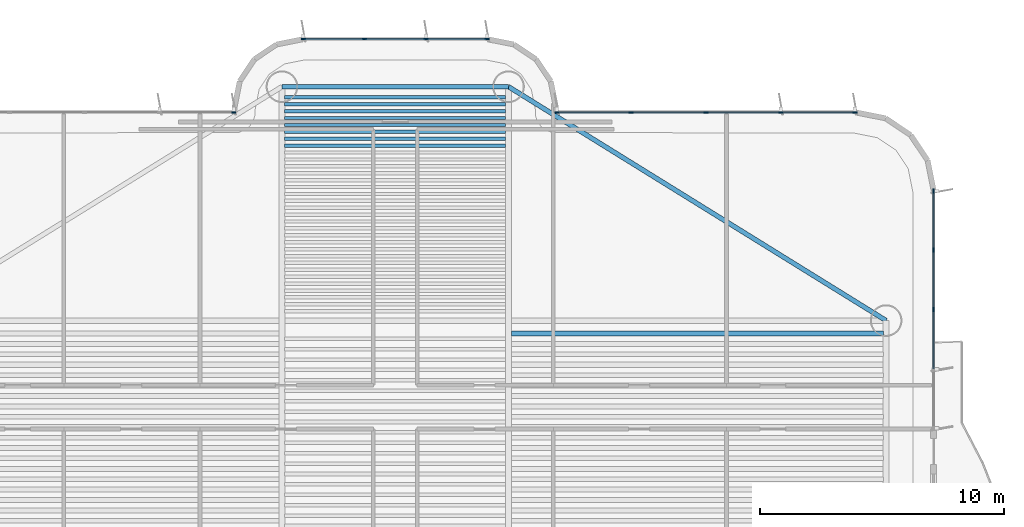
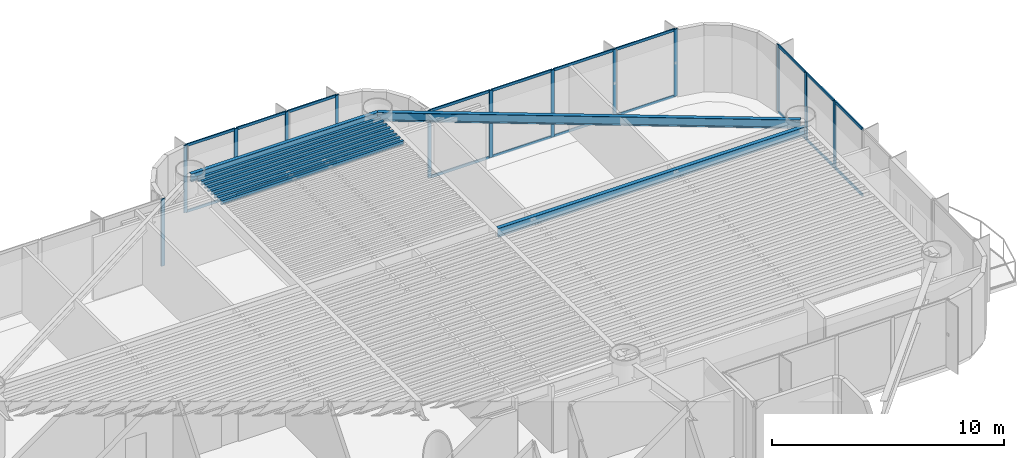
# One storey, part 7 of 16: 33 members, 11 beams, 4 elements without a shape of their own.
"""IFC4 building model written with IfcOpenShell, lengths in metres."""

import ifcopenshell
import ifcopenshell.guid

model = None  # the IFC model being written
_history = None  # IfcOwnerHistory: only IFC2X3 demands one
_inside = {}  # id of a spatial element -> (the spatial element, [elements in it])
_under = {}  # id of a project, library or spatial element -> (it, [spatial elements below it])
_declared = {}  # id of a project -> (the project, [libraries it declares])
_typed = {}  # id of a type object -> (the type object, [elements of that type])
_made_of = {}  # id of a material, layer set ... -> (it, [elements and type objects made of it])


def new_model(schema):
    """Start an empty IFC model of exactly this schema.

    Asked for "IFC4X3", IfcOpenShell would pick the latest addendum, in which some entities
    have other attributes; the version numbers below select the first issue.
    IFC2X3 requires an IfcOwnerHistory on every rooted entity: one is made here for all.
    """
    global model, _history
    if schema == "IFC4X3":
        model = ifcopenshell.file(schema_version=(4, 3, 0, 0))
    else:
        model = ifcopenshell.file(schema=schema)
    _inside.clear()
    _under.clear()
    _declared.clear()
    _typed.clear()
    _made_of.clear()
    _history = None
    if model.schema == "IFC2X3":
        org = make("IfcOrganization", Name="unknown")
        user = make(
            "IfcPersonAndOrganization",
            ThePerson=make("IfcPerson", FamilyName="unknown"),
            TheOrganization=org,
        )
        app = make(
            "IfcApplication",
            ApplicationDeveloper=org,
            Version="unknown",
            ApplicationFullName="unknown",
            ApplicationIdentifier="unknown",
        )
        _history = make(
            "IfcOwnerHistory",
            OwningUser=user,
            OwningApplication=app,
            ChangeAction="ADDED",
            CreationDate=0,
        )
    return model


def make(cls, **values):
    """One entity of the class cls with the attributes given. An attribute that is None is left unset."""
    return model.create_entity(
        cls, **{name: value for name, value in values.items() if value is not None}
    )


def rooted(cls, **values):
    """An entity with a GlobalId (a new one), such as an element, a storey or a relation."""
    return make(cls, GlobalId=ifcopenshell.guid.new(), OwnerHistory=_history, **values)


def si_unit(unit_type, name, prefix=None):
    """IfcSIUnit, for example si_unit("LENGTHUNIT", "METRE", prefix="MILLI")."""
    return make("IfcSIUnit", UnitType=unit_type, Prefix=prefix, Name=name)


def assignment(units):
    """IfcUnitAssignment: the units of a project."""
    return None if units is None else make("IfcUnitAssignment", Units=units)


def point(xyz):
    """IfcCartesianPoint."""
    return None if xyz is None else make("IfcCartesianPoint", Coordinates=xyz)


def direction(xyz):
    """IfcDirection."""
    return None if xyz is None else make("IfcDirection", DirectionRatios=xyz)


def frame(location, z_axis=None, x_axis=None):
    """IfcAxis2Placement3D, a coordinate frame: its origin and axes. An axis left out is left unset."""
    return make(
        "IfcAxis2Placement3D",
        Location=point(location),
        Axis=direction(z_axis),
        RefDirection=direction(x_axis),
    )


def frame_2d(location, x_axis=None):
    """IfcAxis2Placement2D, a coordinate frame in the plane: its origin and x axis."""
    return make(
        "IfcAxis2Placement2D", Location=point(location), RefDirection=direction(x_axis)
    )


def origin():
    """The frame at (0, 0, 0) with its axes left unset."""
    return frame((0.0, 0.0, 0.0))


def origin_2d():
    """The frame at (0, 0) in the plane with its x axis left unset."""
    return frame_2d((0.0, 0.0))


def place(relative_to, where):
    """IfcLocalPlacement: puts the frame where relative to a parent placement (None: the world)."""
    return make(
        "IfcLocalPlacement", PlacementRelTo=relative_to, RelativePlacement=where
    )


def context(
    kind, dimensions, precision=None, world=None, true_north=None, identifier=None
):
    """IfcGeometricRepresentationContext, for example the 3D "Model" context."""
    return make(
        "IfcGeometricRepresentationContext",
        ContextIdentifier=identifier,
        ContextType=kind,
        CoordinateSpaceDimension=dimensions,
        Precision=precision,
        WorldCoordinateSystem=world,
        TrueNorth=true_north,
    )


def subcontext(parent, identifier, kind, view, scale=None):
    """IfcGeometricRepresentationSubContext, for example "Body" below "Model"."""
    return make(
        "IfcGeometricRepresentationSubContext",
        ContextIdentifier=identifier,
        ContextType=kind,
        ParentContext=parent,
        TargetScale=scale,
        TargetView=view,
    )


def project(units=None, contexts=None):
    """IfcProject with its units and contexts."""
    return rooted(
        "IfcProject",
        Name="project",
        RepresentationContexts=contexts,
        UnitsInContext=assignment(units),
    )


def spatial(cls, under=None, at=None, **own):
    """A site, building, storey or space (cls), placed at a placement, below another one or the project."""
    s = rooted(cls, ObjectPlacement=at, **own)
    if under is not None:
        _under.setdefault(under.id(), (under, []))[1].append(s)
    return s


def profile(cls, at=None, kind="AREA", **sizes):
    """A parametric profile (cls). Its sizes go by their IFC names, for example OverallWidth=200.0."""
    return make(cls, ProfileType=kind, Position=at, **sizes)


def rectangle(**sizes):
    """IfcRectangleProfileDef."""
    return profile("IfcRectangleProfileDef", **sizes)


def i_section(**sizes):
    """IfcIShapeProfileDef."""
    return profile("IfcIShapeProfileDef", **sizes)


def extrude(swept, where, along, depth):
    """IfcExtrudedAreaSolid: the profile swept, set in the frame where, extruded along a direction by depth."""
    return make(
        "IfcExtrudedAreaSolid",
        SweptArea=swept,
        Position=where,
        ExtrudedDirection=direction(along),
        Depth=depth,
    )


def shape(context_of_items, identifier, shape_type, items):
    """IfcShapeRepresentation: the items that make up one representation, for example the "Body"."""
    return make(
        "IfcShapeRepresentation",
        ContextOfItems=context_of_items,
        RepresentationIdentifier=identifier,
        RepresentationType=shape_type,
        Items=items,
    )


def source(mapping_origin, context_of_items, identifier, shape_type, items):
    """IfcRepresentationMap: a shape defined once, which mapped items show again and again."""
    return make(
        "IfcRepresentationMap",
        MappingOrigin=mapping_origin,
        MappedRepresentation=shape(context_of_items, identifier, shape_type, items),
    )


def transform(
    local_origin,
    x_axis=None,
    y_axis=None,
    z_axis=None,
    scale=None,
    scale2=None,
    scale3=None,
    uniform=True,
):
    """IfcCartesianTransformationOperator3D, or its non-uniform kind. x_axis, y_axis, z_axis: its Axis1, 2, 3."""
    if uniform:
        return make(
            "IfcCartesianTransformationOperator3D",
            Axis1=direction(x_axis),
            Axis2=direction(y_axis),
            LocalOrigin=point(local_origin),
            Scale=scale,
            Axis3=direction(z_axis),
        )
    return make(
        "IfcCartesianTransformationOperator3DnonUniform",
        Axis1=direction(x_axis),
        Axis2=direction(y_axis),
        LocalOrigin=point(local_origin),
        Scale=scale,
        Axis3=direction(z_axis),
        Scale2=scale2,
        Scale3=scale3,
    )


def mapped(mapping_source, mapping_target):
    """IfcMappedItem: shows the shape of a source again, moved by a transform."""
    return make(
        "IfcMappedItem", MappingSource=mapping_source, MappingTarget=mapping_target
    )


def material(Name=None, Category=None):
    """IfcMaterial."""
    return make("IfcMaterial", Name=Name, Category=Category)


def layer(
    of_material, thickness, ventilated=None, Name=None, Category=None, Priority=None
):
    """IfcMaterialLayer: one layer of a wall or slab, of a material (None: an air gap)."""
    return make(
        "IfcMaterialLayer",
        Material=of_material,
        LayerThickness=thickness,
        IsVentilated=ventilated,
        Name=Name,
        Category=Category,
        Priority=Priority,
    )


def layer_set(layers, Name=None):
    """IfcMaterialLayerSet."""
    return make("IfcMaterialLayerSet", MaterialLayers=layers, LayerSetName=Name)


def material_profile(
    of_material, cross_section, Name=None, Category=None, Priority=None
):
    """IfcMaterialProfile: a cross section and its material."""
    return make(
        "IfcMaterialProfile",
        Name=Name,
        Material=of_material,
        Profile=cross_section,
        Priority=Priority,
        Category=Category,
    )


def profile_set(profiles, Name=None, composite=None):
    """IfcMaterialProfileSet."""
    return make(
        "IfcMaterialProfileSet",
        Name=Name,
        MaterialProfiles=profiles,
        CompositeProfile=composite,
    )


def made_of(thing, what):
    """Note that an element or type object is made of a material, layer set ...; save() writes the relation."""
    if what is not None:
        _made_of.setdefault(what.id(), (what, []))[1].append(thing)
    return thing


def type_object(cls, material=None, **own):
    """A type object (cls), such as IfcWallType, which elements share."""
    return made_of(rooted(cls, **own), material)


def element(
    cls,
    number,
    at=None,
    inside=None,
    cuts=None,
    type_object=None,
    material=None,
    context=None,
    identifier="Body",
    shape_type=None,
    held_by="IfcProductDefinitionShape",
    body=None,
    shapes=None,
    **own,
):
    """One element of the class cls, such as IfcWall. Its Tag is "e" and its number.

    at: its placement. inside: the storey or other place that contains it. cuts: it is an
    opening in that element (IfcRelVoidsElement). A single representation is given by context,
    identifier, shape_type and body (its items); several are given by shapes. held_by: the class
    of the entity that holds the representations. save() writes the other relations.
    """
    e = rooted(cls, Tag="e%d" % number, ObjectPlacement=at, **own)
    if body is not None:
        shapes = [shape(context, identifier, shape_type, body)]
    if shapes is not None:
        e.Representation = make(held_by, Representations=shapes)
    if inside is not None:
        _inside.setdefault(inside.id(), (inside, []))[1].append(e)
    if cuts is not None:
        rooted(
            "IfcRelVoidsElement", RelatingBuildingElement=cuts, RelatedOpeningElement=e
        )
    if type_object is not None:
        _typed.setdefault(type_object.id(), (type_object, []))[1].append(e)
    return made_of(e, material)


def aggregate(whole, parts):
    """IfcRelAggregates: a whole, such as a stair, and the parts it consists of."""
    return rooted("IfcRelAggregates", RelatingObject=whole, RelatedObjects=parts)


def save(model, path):
    """Write the relations noted so far, then the file.

    IfcRelAggregates (storeys below a building ...), IfcRelContainedInSpatialStructure (elements
    in a storey), IfcRelDefinesByType, IfcRelAssociatesMaterial and IfcRelDeclares: one each for
    every whole, place, type object, material and project.
    """
    for whole, parts in _under.values():
        aggregate(whole, parts)
    for where, things in _inside.values():
        rooted(
            "IfcRelContainedInSpatialStructure",
            RelatedElements=things,
            RelatingStructure=where,
        )
    for kind, things in _typed.values():
        rooted("IfcRelDefinesByType", RelatedObjects=things, RelatingType=kind)
    for what, things in _made_of.values():
        rooted("IfcRelAssociatesMaterial", RelatedObjects=things, RelatingMaterial=what)
    for by, libraries in _declared.values():
        rooted("IfcRelDeclares", RelatingContext=by, RelatedDefinitions=libraries)
    model.write(path)


model = new_model("IFC4")

# Units and contexts
model_context = context("Model", 3, precision=1e-05, world=origin(), true_north=direction((0.0, 1.0)))
body_context = subcontext(model_context, "Body", "Model", "MODEL_VIEW")
ifc_project = project(units=[si_unit("LENGTHUNIT", "METRE"), si_unit("AREAUNIT", "SQUARE_METRE"), si_unit("VOLUMEUNIT", "CUBIC_METRE"), si_unit("PLANEANGLEUNIT", "RADIAN"), si_unit("MASSUNIT", "GRAM", prefix="KILO")], contexts=[model_context])

# Site, building, storey
site_placement = place(None, origin())
site = spatial("IfcSite", under=ifc_project, at=site_placement, CompositionType="ELEMENT")
building_placement = place(site_placement, origin())
building = spatial("IfcBuilding", under=site, at=building_placement, Name="Brelvock Crest Care Tower", CompositionType="ELEMENT")
storey_placement = place(building_placement, frame((0.0, 0.0, 120.06005859375)))
storey = spatial("IfcBuildingStorey", under=building, at=storey_placement, Name="L30", CompositionType="ELEMENT", Elevation=120.06005859375)

# Beams
ifc_material_1 = material(Name="Steel Grade 350", Category="steel")
ifc_material_profile_1 = material_profile(ifc_material_1, i_section(OverallWidth=0.177978515625, OverallDepth=0.406005859375, WebThickness=0.0078125, FlangeThickness=0.0126953125, FilletRadius=0.011474609375, at=origin_2d()), Name="410UB59.7")
ifc_profile_set_1 = profile_set([ifc_material_profile_1], Name="Steel Grade 350")
beam_type_1 = type_object("IfcBeamType", Name="BM-SP1", PredefinedType="SPANDREL", material=ifc_profile_set_1)
shared_shape_1 = source(origin(), body_context, "Body", "SweptSolid", [
    extrude(i_section(OverallWidth=0.177978515625, OverallDepth=0.406005859375, WebThickness=0.0078125, FlangeThickness=0.0126953125, FilletRadius=0.011474609375, at=origin_2d()), origin(), (0.0, 0.0, 1.0), 9.2998046875),
])
beam_1_placement = place(storey_placement, frame((31.35009765625, 48.449951171875, 3.326904296875), z_axis=(1.0, 0.0, 0.0), x_axis=(0.0, 1.0, 0.0)))
element("IfcBeam", 1, at=beam_1_placement, inside=storey, type_object=beam_type_1, Name="BM-TWR-L30-08", PredefinedType="SPANDREL", context=body_context, shape_type="MappedRepresentation", body=[
    mapped(shared_shape_1, transform((0.0, 0.0, 0.0), x_axis=(1.0, 0.0, 0.0), y_axis=(0.0, 1.0, 0.0), z_axis=(0.0, 0.0, 1.0), scale=1.0)),
])
ifc_material_profile_2 = material_profile(ifc_material_1, i_section(OverallWidth=0.134033203125, OverallDepth=0.20703125, WebThickness=0.00634765625, FlangeThickness=0.009521484375, FilletRadius=0.0087890625, at=origin_2d()), Name="200UB29.8")
ifc_profile_set_2 = profile_set([ifc_material_profile_2], Name="Steel Grade 350")
beam_type_2 = type_object("IfcBeamType", Name="BM-J4", PredefinedType="JOIST", material=ifc_profile_set_2)
shared_shape_2 = source(origin(), body_context, "Body", "SweptSolid", [
    extrude(i_section(OverallWidth=0.134033203125, OverallDepth=0.20703125, WebThickness=0.00634765625, FlangeThickness=0.009521484375, FilletRadius=0.0087890625, at=origin_2d()), origin(), (0.0, 0.0, 1.0), 9.06982421875),
])
for number, where, z_axis, x_axis, name in (
    (2, (31.465087890625, 46.03076171875, 3.426513671875), (1.0, 0.0, 0.0), (0.0, 1.0, 0.0), "BM-JN-L30-25"),
    (3, (31.465087890625, 46.31396484375, 3.426513671875), (1.0, 0.0, 0.0), (0.0, 1.0, 0.0), "BM-JN-L30-26"),
    (4, (31.465087890625, 46.59716796875, 3.426513671875), (1.0, 0.0, 0.0), (0.0, 1.0, 0.0), "BM-JN-L30-27"),
    (5, (31.465087890625, 46.88037109375, 3.426513671875), (1.0, 0.0, 0.0), (0.0, 1.0, 0.0), "BM-JN-L30-28"),
    (6, (31.465087890625, 47.16357421875, 3.426513671875), (1.0, 0.0, 0.0), (0.0, 1.0, 0.0), "BM-JN-L30-29"),
    (7, (31.465087890625, 47.44677734375, 3.426513671875), (1.0, 0.0, 0.0), (0.0, 1.0, 0.0), "BM-JN-L30-30"),
    (8, (31.465087890625, 47.72998046875, 3.426513671875), (1.0, 0.0, 0.0), (0.0, 1.0, 0.0), "BM-JN-L30-31"),
    (9, (31.465087890625, 48.01318359375, 3.426513671875), (1.0, 0.0, 0.0), (0.0, 1.0, 0.0), "BM-JN-L30-32"),
):
    element("IfcBeam", number, at=place(storey_placement, frame(where, z_axis=z_axis, x_axis=x_axis)), inside=storey, type_object=beam_type_2, Name=name, PredefinedType="JOIST", context=body_context, shape_type="MappedRepresentation", body=[
        mapped(shared_shape_2, transform((0.0, 0.0, 0.0), x_axis=(1.0, 0.0, 0.0), y_axis=(0.0, 1.0, 0.0), z_axis=(0.0, 0.0, 1.0), scale=1.0)),
    ])
ifc_material_profile_3 = material_profile(ifc_material_1, i_section(OverallWidth=0.19091796875, OverallDepth=0.4599609375, WebThickness=0.010009765625, FlangeThickness=0.01611328125, FilletRadius=0.011474609375, at=origin_2d()), Name="460UB82.1")
ifc_profile_set_3 = profile_set([ifc_material_profile_3], Name="Steel Grade 350")
beam_type_3 = type_object("IfcBeamType", Name="BM-G3", PredefinedType="BEAM", material=ifc_profile_set_3)
shared_shape_3 = source(origin(), body_context, "Body", "SweptSolid", [
    extrude(i_section(OverallWidth=0.19091796875, OverallDepth=0.4599609375, WebThickness=0.010009765625, FlangeThickness=0.01611328125, FilletRadius=0.011474609375, at=origin_2d()), origin(), (0.0, 0.0, 1.0), 15.27001953125),
])
beam_2_placement = place(storey_placement, frame((40.764892578125, 38.317626953125, 3.300048828125), z_axis=(1.0, 0.0, 0.0), x_axis=(0.0, 1.0, 0.0)))
element("IfcBeam", 10, at=beam_2_placement, inside=storey, type_object=beam_type_3, Name="BM-JE-L30-26", PredefinedType="BEAM", context=body_context, shape_type="MappedRepresentation", body=[
    mapped(shared_shape_3, transform((0.0, 0.0, 0.0), x_axis=(1.0, 0.0, 0.0), y_axis=(0.0, 1.0, 0.0), z_axis=(0.0, 0.0, 1.0), scale=1.0)),
])
ifc_material_profile_4 = material_profile(ifc_material_1, i_section(OverallWidth=0.19091796875, OverallDepth=0.4599609375, WebThickness=0.010009765625, FlangeThickness=0.01611328125, FilletRadius=0.011474609375, at=origin_2d()), Name="460UB82.1")
ifc_profile_set_4 = profile_set([ifc_material_profile_4], Name="Steel Grade 350")
beam_type_4 = type_object("IfcBeamType", Name="BM-SP2", PredefinedType="SPANDREL", material=ifc_profile_set_4)
shared_shape_4 = source(origin(), body_context, "Body", "SweptSolid", [
    extrude(i_section(OverallWidth=0.19091796875, OverallDepth=0.4599609375, WebThickness=0.010009765625, FlangeThickness=0.01611328125, FilletRadius=0.011474609375, at=origin_2d()), origin(), (0.0, 0.0, 1.0), 18.23193359375),
])
beam_3_placement = place(storey_placement, frame((40.64990234375, 48.449951171875, 3.300048828125), z_axis=(0.85015183248, -0.526537616635, 0.0), x_axis=(0.526537616635, 0.85015183248, 0.0)))
element("IfcBeam", 11, at=beam_3_placement, inside=storey, type_object=beam_type_4, Name="BM-TWR-L30-07", PredefinedType="SPANDREL", context=body_context, shape_type="MappedRepresentation", body=[
    mapped(shared_shape_4, transform((0.0, 0.0, 0.0), x_axis=(1.0, 0.0, 0.0), y_axis=(0.0, 1.0, 0.0), z_axis=(0.0, 0.0, 1.0), scale=1.0)),
])

# Curtain wall, member
ifc_material_2 = material(Name="Dark Glass Double Glazed Low-E", Category="glass")
ifc_layer = layer(ifc_material_2, 0.2099609375, Name="CWS-3")
ifc_layer_set = layer_set([ifc_layer], Name="Dark Glass Double Glazed Low-E")
curtain_wall_type = type_object("IfcCurtainWallType", Name="CWS-3", PredefinedType="NOTDEFINED", material=ifc_layer_set)
curtain_wall_1_placement = place(storey_placement, origin())
curtain_wall_1 = element("IfcCurtainWall", 12, at=curtain_wall_1_placement, inside=storey, type_object=curtain_wall_type, Name="L30 Curtain Wall E22", PredefinedType="NOTDEFINED")
ifc_material_3 = material(Name="Aluminium 6063-T6", Category="aluminium")
ifc_material_profile_5 = material_profile(ifc_material_3, rectangle(XDim=0.06005859375, YDim=0.179931640625, at=origin_2d()), Name="ALU60x180")
ifc_profile_set_5 = profile_set([ifc_material_profile_5], Name="Aluminium 6063-T6")
member_type_1 = type_object("IfcMemberType", Name="CWM-2", PredefinedType="MULLION", material=ifc_profile_set_5)
shared_shape_5 = source(origin(), body_context, "Body", "SweptSolid", [
    extrude(rectangle(XDim=0.06005859375, YDim=0.179931640625, at=origin_2d()), origin(), (0.0, 0.0, 1.0), 3.530029296875),
])
member_1_placement = place(storey_placement, frame((29.3701171875, 47.39990234375, 0.0), z_axis=(0.0, 0.0, 1.0), x_axis=(0.0, 1.0, 0.0)))
member_1 = element("IfcMember", 13, at=member_1_placement, type_object=member_type_1, Name="CW-3 mullion 5", PredefinedType="MULLION", context=body_context, shape_type="MappedRepresentation", body=[
    mapped(shared_shape_5, transform((0.0, 0.0, 0.0), x_axis=(1.0, 0.0, 0.0), y_axis=(0.0, 1.0, 0.0), z_axis=(0.0, 0.0, 1.0), scale=1.0)),
])
aggregate(curtain_wall_1, [member_1])

# Curtain wall, members
curtain_wall_2_placement = place(storey_placement, origin())
curtain_wall_2 = element("IfcCurtainWall", 14, at=curtain_wall_2_placement, inside=storey, type_object=curtain_wall_type, Name="L30 Curtain Wall E28", PredefinedType="NOTDEFINED")
member_2_placement = place(storey_placement, frame((32.22998046875, 50.39990234375, 0.0), z_axis=(0.0, 0.0, 1.0), x_axis=(0.0, 1.0, 0.0)))
member_2 = element("IfcMember", 15, at=member_2_placement, type_object=member_type_1, Name="CW-3 mullion 1", PredefinedType="MULLION", context=body_context, shape_type="MappedRepresentation", body=[
    mapped(shared_shape_5, transform((0.0, 0.0, 0.0), x_axis=(1.0, 0.0, 0.0), y_axis=(0.0, 1.0, 0.0), z_axis=(0.0, 0.0, 1.0), scale=1.0)),
])
member_3_placement = place(storey_placement, frame((34.7333984375, 50.39990234375, 0.0), z_axis=(0.0, 0.0, 1.0), x_axis=(0.0, 1.0, 0.0)))
member_3 = element("IfcMember", 16, at=member_3_placement, type_object=member_type_1, Name="CW-3 mullion 2", PredefinedType="MULLION", context=body_context, shape_type="MappedRepresentation", body=[
    mapped(shared_shape_5, transform((0.0, 0.0, 0.0), x_axis=(1.0, 0.0, 0.0), y_axis=(0.0, 1.0, 0.0), z_axis=(0.0, 0.0, 1.0), scale=1.0)),
])
member_4_placement = place(storey_placement, frame((37.2666015625, 50.39990234375, 0.0), z_axis=(0.0, 0.0, 1.0), x_axis=(0.0, 1.0, 0.0)))
member_4 = element("IfcMember", 17, at=member_4_placement, type_object=member_type_1, Name="CW-3 mullion 3", PredefinedType="MULLION", context=body_context, shape_type="MappedRepresentation", body=[
    mapped(shared_shape_5, transform((0.0, 0.0, 0.0), x_axis=(1.0, 0.0, 0.0), y_axis=(0.0, 1.0, 0.0), z_axis=(0.0, 0.0, 1.0), scale=1.0)),
])
member_5_placement = place(storey_placement, frame((39.77001953125, 50.39990234375, 0.0), z_axis=(0.0, 0.0, 1.0), x_axis=(0.0, 1.0, 0.0)))
member_5 = element("IfcMember", 18, at=member_5_placement, type_object=member_type_1, Name="CW-3 mullion 4", PredefinedType="MULLION", context=body_context, shape_type="MappedRepresentation", body=[
    mapped(shared_shape_5, transform((0.0, 0.0, 0.0), x_axis=(1.0, 0.0, 0.0), y_axis=(0.0, 1.0, 0.0), z_axis=(0.0, 0.0, 1.0), scale=1.0)),
])

curtain_wall_3_placement = place(storey_placement, origin())
curtain_wall_3 = element("IfcCurtainWall", 19, at=curtain_wall_3_placement, inside=storey, type_object=curtain_wall_type, Name="L30 Curtain Wall E34", PredefinedType="NOTDEFINED")
member_6_placement = place(storey_placement, frame((42.6298828125, 47.39990234375, 0.0), z_axis=(0.0, 0.0, 1.0), x_axis=(0.0, 1.0, 0.0)))
member_6 = element("IfcMember", 20, at=member_6_placement, type_object=member_type_1, Name="CW-3 mullion 1", PredefinedType="MULLION", context=body_context, shape_type="MappedRepresentation", body=[
    mapped(shared_shape_5, transform((0.0, 0.0, 0.0), x_axis=(1.0, 0.0, 0.0), y_axis=(0.0, 1.0, 0.0), z_axis=(0.0, 0.0, 1.0), scale=1.0)),
])
member_7_placement = place(storey_placement, frame((45.675048828125, 47.39990234375, 0.0), z_axis=(0.0, 0.0, 1.0), x_axis=(0.0, 1.0, 0.0)))
member_7 = element("IfcMember", 21, at=member_7_placement, type_object=member_type_1, Name="CW-3 mullion 2", PredefinedType="MULLION", context=body_context, shape_type="MappedRepresentation", body=[
    mapped(shared_shape_5, transform((0.0, 0.0, 0.0), x_axis=(1.0, 0.0, 0.0), y_axis=(0.0, 1.0, 0.0), z_axis=(0.0, 0.0, 1.0), scale=1.0)),
])
member_8_placement = place(storey_placement, frame((48.75, 47.39990234375, 0.0), z_axis=(0.0, 0.0, 1.0), x_axis=(0.0, 1.0, 0.0)))
member_8 = element("IfcMember", 22, at=member_8_placement, type_object=member_type_1, Name="CW-3 mullion 3", PredefinedType="MULLION", context=body_context, shape_type="MappedRepresentation", body=[
    mapped(shared_shape_5, transform((0.0, 0.0, 0.0), x_axis=(1.0, 0.0, 0.0), y_axis=(0.0, 1.0, 0.0), z_axis=(0.0, 0.0, 1.0), scale=1.0)),
])
member_9_placement = place(storey_placement, frame((51.824951171875, 47.39990234375, 0.0), z_axis=(0.0, 0.0, 1.0), x_axis=(0.0, 1.0, 0.0)))
member_9 = element("IfcMember", 23, at=member_9_placement, type_object=member_type_1, Name="CW-3 mullion 4", PredefinedType="MULLION", context=body_context, shape_type="MappedRepresentation", body=[
    mapped(shared_shape_5, transform((0.0, 0.0, 0.0), x_axis=(1.0, 0.0, 0.0), y_axis=(0.0, 1.0, 0.0), z_axis=(0.0, 0.0, 1.0), scale=1.0)),
])
member_10_placement = place(storey_placement, frame((54.8701171875, 47.39990234375, 0.0), z_axis=(0.0, 0.0, 1.0), x_axis=(0.0, 1.0, 0.0)))
member_10 = element("IfcMember", 24, at=member_10_placement, type_object=member_type_1, Name="CW-3 mullion 5", PredefinedType="MULLION", context=body_context, shape_type="MappedRepresentation", body=[
    mapped(shared_shape_5, transform((0.0, 0.0, 0.0), x_axis=(1.0, 0.0, 0.0), y_axis=(0.0, 1.0, 0.0), z_axis=(0.0, 0.0, 1.0), scale=1.0)),
])

curtain_wall_4_placement = place(storey_placement, origin())
curtain_wall_4 = element("IfcCurtainWall", 25, at=curtain_wall_4_placement, inside=storey, type_object=curtain_wall_type, Name="L30 Curtain Wall E39A", PredefinedType="NOTDEFINED")
member_11_placement = place(storey_placement, frame((58.10009765625, 44.169921875, 0.0), z_axis=(0.0, 0.0, 1.0), x_axis=(1.0, 0.0, 0.0)))
member_11 = element("IfcMember", 26, at=member_11_placement, type_object=member_type_1, Name="CW-3 mullion 1", PredefinedType="MULLION", context=body_context, shape_type="MappedRepresentation", body=[
    mapped(shared_shape_5, transform((0.0, 0.0, 0.0), x_axis=(1.0, 0.0, 0.0), y_axis=(0.0, 1.0, 0.0), z_axis=(0.0, 0.0, 1.0), scale=1.0)),
])
member_12_placement = place(storey_placement, frame((58.10009765625, 41.75, 0.0), z_axis=(0.0, 0.0, 1.0), x_axis=(1.0, 0.0, 0.0)))
member_12 = element("IfcMember", 27, at=member_12_placement, type_object=member_type_1, Name="CW-3 mullion 2", PredefinedType="MULLION", context=body_context, shape_type="MappedRepresentation", body=[
    mapped(shared_shape_5, transform((0.0, 0.0, 0.0), x_axis=(1.0, 0.0, 0.0), y_axis=(0.0, 1.0, 0.0), z_axis=(0.0, 0.0, 1.0), scale=1.0)),
])
member_13_placement = place(storey_placement, frame((58.10009765625, 39.300048828125, 0.0), z_axis=(0.0, 0.0, 1.0), x_axis=(1.0, 0.0, 0.0)))
member_13 = element("IfcMember", 28, at=member_13_placement, type_object=member_type_1, Name="CW-3 mullion 3", PredefinedType="MULLION", context=body_context, shape_type="MappedRepresentation", body=[
    mapped(shared_shape_5, transform((0.0, 0.0, 0.0), x_axis=(1.0, 0.0, 0.0), y_axis=(0.0, 1.0, 0.0), z_axis=(0.0, 0.0, 1.0), scale=1.0)),
])

# Member
ifc_material_profile_6 = material_profile(ifc_material_3, rectangle(XDim=0.06005859375, YDim=0.139892578125, at=origin_2d()), Name="ALU60x140")
ifc_profile_set_6 = profile_set([ifc_material_profile_6], Name="Aluminium 6063-T6")
member_type_2 = type_object("IfcMemberType", Name="CWT-2", PredefinedType="USERDEFINED", material=ifc_profile_set_6)
shared_shape_6 = source(origin(), body_context, "Body", "SweptSolid", [
    extrude(rectangle(XDim=0.06005859375, YDim=0.139892578125, at=origin_2d()), origin(), (0.0, 0.0, 1.0), 2.985107421875),
])
member_14_placement = place(storey_placement, frame((42.659912109375, 47.39990234375, 0.030029296875), z_axis=(1.0, 0.0, 0.0), x_axis=(0.0, 1.0, 0.0)))
member_14 = element("IfcMember", 29, at=member_14_placement, type_object=member_type_2, Name="CW-3 transom 1.1", ObjectType="TRANSOM", PredefinedType="USERDEFINED", context=body_context, shape_type="MappedRepresentation", body=[
    mapped(shared_shape_6, transform((0.0, 0.0, 0.0), x_axis=(1.0, 0.0, 0.0), y_axis=(0.0, 1.0, 0.0), z_axis=(0.0, 0.0, 1.0), scale=1.0)),
])

member_15_placement = place(storey_placement, frame((42.659912109375, 47.39990234375, 3.5), z_axis=(1.0, 0.0, 0.0), x_axis=(0.0, 1.0, 0.0)))
member_15 = element("IfcMember", 30, at=member_15_placement, type_object=member_type_2, Name="CW-3 transom 1.2", ObjectType="TRANSOM", PredefinedType="USERDEFINED", context=body_context, shape_type="MappedRepresentation", body=[
    mapped(shared_shape_6, transform((0.0, 0.0, 0.0), x_axis=(1.0, 0.0, 0.0), y_axis=(0.0, 1.0, 0.0), z_axis=(0.0, 0.0, 1.0), scale=1.0)),
])

member_16_placement = place(storey_placement, frame((51.85498046875, 47.39990234375, 0.030029296875), z_axis=(1.0, 0.0, 0.0), x_axis=(0.0, 1.0, 0.0)))
member_16 = element("IfcMember", 31, at=member_16_placement, type_object=member_type_2, Name="CW-3 transom 4.1", ObjectType="TRANSOM", PredefinedType="USERDEFINED", context=body_context, shape_type="MappedRepresentation", body=[
    mapped(shared_shape_6, transform((0.0, 0.0, 0.0), x_axis=(1.0, 0.0, 0.0), y_axis=(0.0, 1.0, 0.0), z_axis=(0.0, 0.0, 1.0), scale=1.0)),
])

member_17_placement = place(storey_placement, frame((51.85498046875, 47.39990234375, 3.5), z_axis=(1.0, 0.0, 0.0), x_axis=(0.0, 1.0, 0.0)))
member_17 = element("IfcMember", 32, at=member_17_placement, type_object=member_type_2, Name="CW-3 transom 4.2", ObjectType="TRANSOM", PredefinedType="USERDEFINED", context=body_context, shape_type="MappedRepresentation", body=[
    mapped(shared_shape_6, transform((0.0, 0.0, 0.0), x_axis=(1.0, 0.0, 0.0), y_axis=(0.0, 1.0, 0.0), z_axis=(0.0, 0.0, 1.0), scale=1.0)),
])

shared_shape_7 = source(origin(), body_context, "Body", "SweptSolid", [
    extrude(rectangle(XDim=0.06005859375, YDim=0.139892578125, at=origin_2d()), origin(), (0.0, 0.0, 1.0), 3.014892578125),
])
member_18_placement = place(storey_placement, frame((45.705078125, 47.39990234375, 0.030029296875), z_axis=(1.0, 0.0, 0.0), x_axis=(0.0, 1.0, 0.0)))
member_18 = element("IfcMember", 33, at=member_18_placement, type_object=member_type_2, Name="CW-3 transom 2.1", ObjectType="TRANSOM", PredefinedType="USERDEFINED", context=body_context, shape_type="MappedRepresentation", body=[
    mapped(shared_shape_7, transform((0.0, 0.0, 0.0), x_axis=(1.0, 0.0, 0.0), y_axis=(0.0, 1.0, 0.0), z_axis=(0.0, 0.0, 1.0), scale=1.0)),
])

member_19_placement = place(storey_placement, frame((45.705078125, 47.39990234375, 3.5), z_axis=(1.0, 0.0, 0.0), x_axis=(0.0, 1.0, 0.0)))
member_19 = element("IfcMember", 34, at=member_19_placement, type_object=member_type_2, Name="CW-3 transom 2.2", ObjectType="TRANSOM", PredefinedType="USERDEFINED", context=body_context, shape_type="MappedRepresentation", body=[
    mapped(shared_shape_7, transform((0.0, 0.0, 0.0), x_axis=(1.0, 0.0, 0.0), y_axis=(0.0, 1.0, 0.0), z_axis=(0.0, 0.0, 1.0), scale=1.0)),
])

member_20_placement = place(storey_placement, frame((48.780029296875, 47.39990234375, 0.030029296875), z_axis=(1.0, 0.0, 0.0), x_axis=(0.0, 1.0, 0.0)))
member_20 = element("IfcMember", 35, at=member_20_placement, type_object=member_type_2, Name="CW-3 transom 3.1", ObjectType="TRANSOM", PredefinedType="USERDEFINED", context=body_context, shape_type="MappedRepresentation", body=[
    mapped(shared_shape_7, transform((0.0, 0.0, 0.0), x_axis=(1.0, 0.0, 0.0), y_axis=(0.0, 1.0, 0.0), z_axis=(0.0, 0.0, 1.0), scale=1.0)),
])

member_21_placement = place(storey_placement, frame((48.780029296875, 47.39990234375, 3.5), z_axis=(1.0, 0.0, 0.0), x_axis=(0.0, 1.0, 0.0)))
member_21 = element("IfcMember", 36, at=member_21_placement, type_object=member_type_2, Name="CW-3 transom 3.2", ObjectType="TRANSOM", PredefinedType="USERDEFINED", context=body_context, shape_type="MappedRepresentation", body=[
    mapped(shared_shape_7, transform((0.0, 0.0, 0.0), x_axis=(1.0, 0.0, 0.0), y_axis=(0.0, 1.0, 0.0), z_axis=(0.0, 0.0, 1.0), scale=1.0)),
])

aggregate(curtain_wall_3, [member_6, member_7, member_8, member_9, member_10, member_14, member_15, member_18, member_19, member_20, member_21, member_16, member_17])

shared_shape_8 = source(origin(), body_context, "Body", "SweptSolid", [
    extrude(rectangle(XDim=0.06005859375, YDim=0.139892578125, at=origin_2d()), origin(), (0.0, 0.0, 1.0), 2.443359375),
])
member_22_placement = place(storey_placement, frame((32.260009765625, 50.39990234375, 0.030029296875), z_axis=(1.0, 0.0, 0.0), x_axis=(0.0, 1.0, 0.0)))
member_22 = element("IfcMember", 37, at=member_22_placement, type_object=member_type_2, Name="CW-3 transom 1.1", ObjectType="TRANSOM", PredefinedType="USERDEFINED", context=body_context, shape_type="MappedRepresentation", body=[
    mapped(shared_shape_8, transform((0.0, 0.0, 0.0), x_axis=(1.0, 0.0, 0.0), y_axis=(0.0, 1.0, 0.0), z_axis=(0.0, 0.0, 1.0), scale=1.0)),
])

member_23_placement = place(storey_placement, frame((32.260009765625, 50.39990234375, 3.5), z_axis=(1.0, 0.0, 0.0), x_axis=(0.0, 1.0, 0.0)))
member_23 = element("IfcMember", 38, at=member_23_placement, type_object=member_type_2, Name="CW-3 transom 1.2", ObjectType="TRANSOM", PredefinedType="USERDEFINED", context=body_context, shape_type="MappedRepresentation", body=[
    mapped(shared_shape_8, transform((0.0, 0.0, 0.0), x_axis=(1.0, 0.0, 0.0), y_axis=(0.0, 1.0, 0.0), z_axis=(0.0, 0.0, 1.0), scale=1.0)),
])

member_24_placement = place(storey_placement, frame((37.296630859375, 50.39990234375, 0.030029296875), z_axis=(1.0, 0.0, 0.0), x_axis=(0.0, 1.0, 0.0)))
member_24 = element("IfcMember", 39, at=member_24_placement, type_object=member_type_2, Name="CW-3 transom 3.1", ObjectType="TRANSOM", PredefinedType="USERDEFINED", context=body_context, shape_type="MappedRepresentation", body=[
    mapped(shared_shape_8, transform((0.0, 0.0, 0.0), x_axis=(1.0, 0.0, 0.0), y_axis=(0.0, 1.0, 0.0), z_axis=(0.0, 0.0, 1.0), scale=1.0)),
])

member_25_placement = place(storey_placement, frame((37.296630859375, 50.39990234375, 3.5), z_axis=(1.0, 0.0, 0.0), x_axis=(0.0, 1.0, 0.0)))
member_25 = element("IfcMember", 40, at=member_25_placement, type_object=member_type_2, Name="CW-3 transom 3.2", ObjectType="TRANSOM", PredefinedType="USERDEFINED", context=body_context, shape_type="MappedRepresentation", body=[
    mapped(shared_shape_8, transform((0.0, 0.0, 0.0), x_axis=(1.0, 0.0, 0.0), y_axis=(0.0, 1.0, 0.0), z_axis=(0.0, 0.0, 1.0), scale=1.0)),
])

shared_shape_9 = source(origin(), body_context, "Body", "SweptSolid", [
    extrude(rectangle(XDim=0.06005859375, YDim=0.139892578125, at=origin_2d()), origin(), (0.0, 0.0, 1.0), 2.47314453125),
])
member_26_placement = place(storey_placement, frame((34.763427734375, 50.39990234375, 0.030029296875), z_axis=(1.0, 0.0, 0.0), x_axis=(0.0, 1.0, 0.0)))
member_26 = element("IfcMember", 41, at=member_26_placement, type_object=member_type_2, Name="CW-3 transom 2.1", ObjectType="TRANSOM", PredefinedType="USERDEFINED", context=body_context, shape_type="MappedRepresentation", body=[
    mapped(shared_shape_9, transform((0.0, 0.0, 0.0), x_axis=(1.0, 0.0, 0.0), y_axis=(0.0, 1.0, 0.0), z_axis=(0.0, 0.0, 1.0), scale=1.0)),
])

member_27_placement = place(storey_placement, frame((34.763427734375, 50.39990234375, 3.5), z_axis=(1.0, 0.0, 0.0), x_axis=(0.0, 1.0, 0.0)))
member_27 = element("IfcMember", 42, at=member_27_placement, type_object=member_type_2, Name="CW-3 transom 2.2", ObjectType="TRANSOM", PredefinedType="USERDEFINED", context=body_context, shape_type="MappedRepresentation", body=[
    mapped(shared_shape_9, transform((0.0, 0.0, 0.0), x_axis=(1.0, 0.0, 0.0), y_axis=(0.0, 1.0, 0.0), z_axis=(0.0, 0.0, 1.0), scale=1.0)),
])

aggregate(curtain_wall_2, [member_2, member_3, member_4, member_5, member_22, member_23, member_26, member_27, member_24, member_25])

shared_shape_10 = source(origin(), body_context, "Body", "SweptSolid", [
    extrude(rectangle(XDim=0.06005859375, YDim=0.139892578125, at=origin_2d()), origin(), (0.0, 0.0, 1.0), 2.39013671875),
])
member_28_placement = place(storey_placement, frame((58.10009765625, 39.27001953125, 0.030029296875), z_axis=(0.0, -1.0, 0.0), x_axis=(1.0, 0.0, 0.0)))
member_28 = element("IfcMember", 43, at=member_28_placement, type_object=member_type_2, Name="CW-3 transom 3.1", ObjectType="TRANSOM", PredefinedType="USERDEFINED", context=body_context, shape_type="MappedRepresentation", body=[
    mapped(shared_shape_10, transform((0.0, 0.0, 0.0), x_axis=(1.0, 0.0, 0.0), y_axis=(0.0, 1.0, 0.0), z_axis=(0.0, 0.0, 1.0), scale=1.0)),
])

member_29_placement = place(storey_placement, frame((58.10009765625, 39.27001953125, 3.5), z_axis=(0.0, -1.0, 0.0), x_axis=(1.0, 0.0, 0.0)))
member_29 = element("IfcMember", 44, at=member_29_placement, type_object=member_type_2, Name="CW-3 transom 3.2", ObjectType="TRANSOM", PredefinedType="USERDEFINED", context=body_context, shape_type="MappedRepresentation", body=[
    mapped(shared_shape_10, transform((0.0, 0.0, 0.0), x_axis=(1.0, 0.0, 0.0), y_axis=(0.0, 1.0, 0.0), z_axis=(0.0, 0.0, 1.0), scale=1.0)),
])

shared_shape_11 = source(origin(), body_context, "Body", "SweptSolid", [
    extrude(rectangle(XDim=0.06005859375, YDim=0.139892578125, at=origin_2d()), origin(), (0.0, 0.0, 1.0), 2.389892578125),
])
member_30_placement = place(storey_placement, frame((58.10009765625, 41.719970703125, 0.030029296875), z_axis=(0.0, -1.0, 0.0), x_axis=(1.0, 0.0, 0.0)))
member_30 = element("IfcMember", 45, at=member_30_placement, type_object=member_type_2, Name="CW-3 transom 2.1", ObjectType="TRANSOM", PredefinedType="USERDEFINED", context=body_context, shape_type="MappedRepresentation", body=[
    mapped(shared_shape_11, transform((0.0, 0.0, 0.0), x_axis=(1.0, 0.0, 0.0), y_axis=(0.0, 1.0, 0.0), z_axis=(0.0, 0.0, 1.0), scale=1.0)),
])

member_31_placement = place(storey_placement, frame((58.10009765625, 41.719970703125, 3.5), z_axis=(0.0, -1.0, 0.0), x_axis=(1.0, 0.0, 0.0)))
member_31 = element("IfcMember", 46, at=member_31_placement, type_object=member_type_2, Name="CW-3 transom 2.2", ObjectType="TRANSOM", PredefinedType="USERDEFINED", context=body_context, shape_type="MappedRepresentation", body=[
    mapped(shared_shape_11, transform((0.0, 0.0, 0.0), x_axis=(1.0, 0.0, 0.0), y_axis=(0.0, 1.0, 0.0), z_axis=(0.0, 0.0, 1.0), scale=1.0)),
])

shared_shape_12 = source(origin(), body_context, "Body", "SweptSolid", [
    extrude(rectangle(XDim=0.06005859375, YDim=0.139892578125, at=origin_2d()), origin(), (0.0, 0.0, 1.0), 2.35986328125),
])
member_32_placement = place(storey_placement, frame((58.10009765625, 44.139892578125, 0.030029296875), z_axis=(0.0, -1.0, 0.0), x_axis=(1.0, 0.0, 0.0)))
member_32 = element("IfcMember", 47, at=member_32_placement, type_object=member_type_2, Name="CW-3 transom 1.1", ObjectType="TRANSOM", PredefinedType="USERDEFINED", context=body_context, shape_type="MappedRepresentation", body=[
    mapped(shared_shape_12, transform((0.0, 0.0, 0.0), x_axis=(1.0, 0.0, 0.0), y_axis=(0.0, 1.0, 0.0), z_axis=(0.0, 0.0, 1.0), scale=1.0)),
])

member_33_placement = place(storey_placement, frame((58.10009765625, 44.139892578125, 3.5), z_axis=(0.0, -1.0, 0.0), x_axis=(1.0, 0.0, 0.0)))
member_33 = element("IfcMember", 48, at=member_33_placement, type_object=member_type_2, Name="CW-3 transom 1.2", ObjectType="TRANSOM", PredefinedType="USERDEFINED", context=body_context, shape_type="MappedRepresentation", body=[
    mapped(shared_shape_12, transform((0.0, 0.0, 0.0), x_axis=(1.0, 0.0, 0.0), y_axis=(0.0, 1.0, 0.0), z_axis=(0.0, 0.0, 1.0), scale=1.0)),
])

aggregate(curtain_wall_4, [member_11, member_12, member_13, member_32, member_33, member_30, member_31, member_28, member_29])

save(model, "model.ifc")
